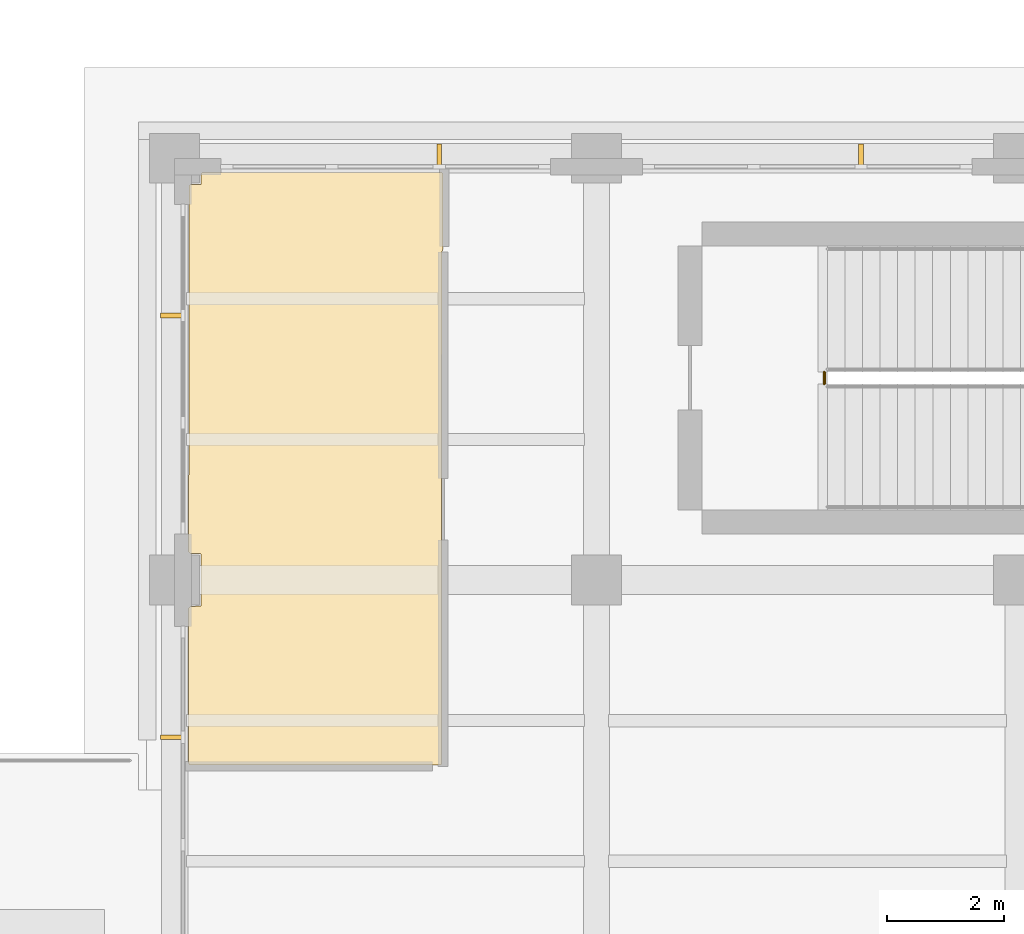
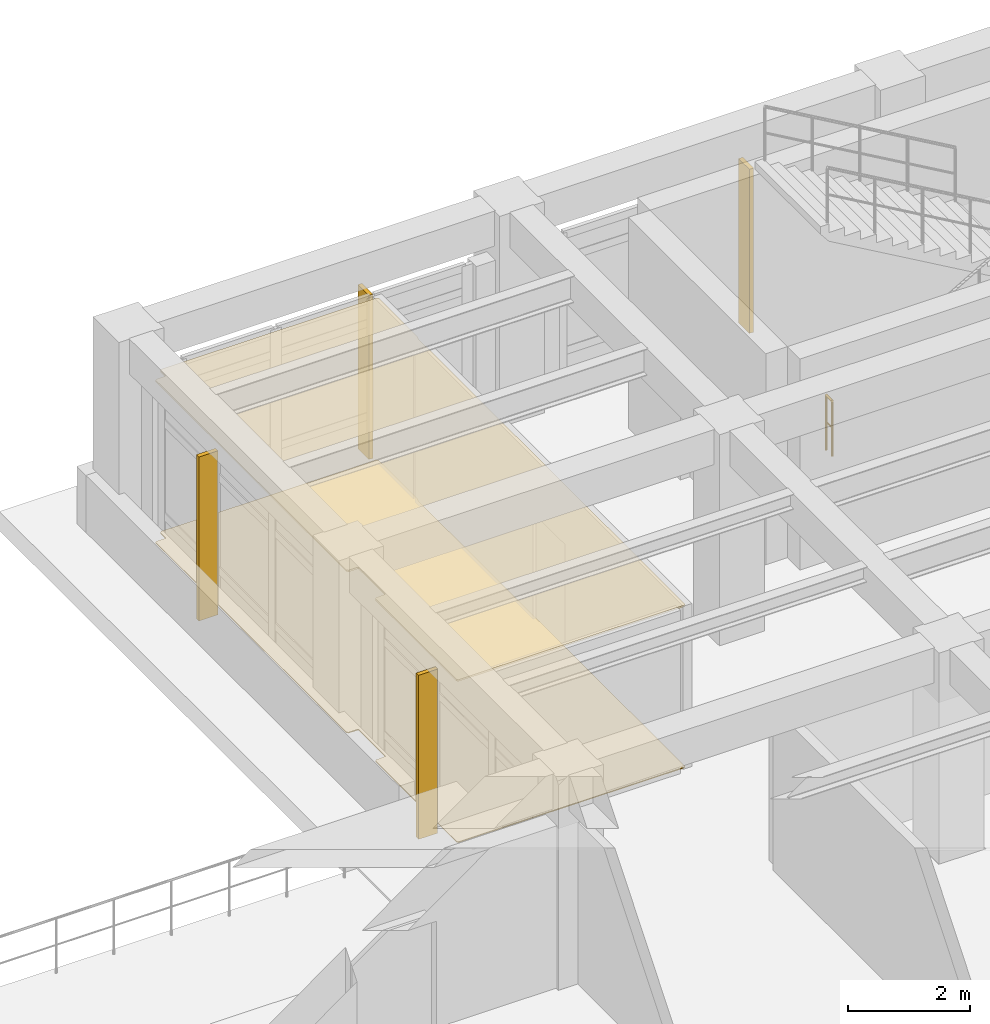
# One storey, part 93 of 98: 4 shading devices, 2 coverings, 1 railing.
"""IFC4 building model written with IfcOpenShell, lengths in metres."""

import ifcopenshell
import ifcopenshell.guid

model = None  # the IFC model being written
_history = None  # IfcOwnerHistory: only IFC2X3 demands one
_inside = {}  # id of a spatial element -> (the spatial element, [elements in it])
_under = {}  # id of a project, library or spatial element -> (it, [spatial elements below it])
_declared = {}  # id of a project -> (the project, [libraries it declares])
_typed = {}  # id of a type object -> (the type object, [elements of that type])
_made_of = {}  # id of a material, layer set ... -> (it, [elements and type objects made of it])


def new_model(schema):
    """Start an empty IFC model of exactly this schema.

    Asked for "IFC4X3", IfcOpenShell would pick the latest addendum, in which some entities
    have other attributes; the version numbers below select the first issue.
    IFC2X3 requires an IfcOwnerHistory on every rooted entity: one is made here for all.
    """
    global model, _history
    if schema == "IFC4X3":
        model = ifcopenshell.file(schema_version=(4, 3, 0, 0))
    else:
        model = ifcopenshell.file(schema=schema)
    _inside.clear()
    _under.clear()
    _declared.clear()
    _typed.clear()
    _made_of.clear()
    _history = None
    if model.schema == "IFC2X3":
        org = make("IfcOrganization", Name="unknown")
        user = make(
            "IfcPersonAndOrganization",
            ThePerson=make("IfcPerson", FamilyName="unknown"),
            TheOrganization=org,
        )
        app = make(
            "IfcApplication",
            ApplicationDeveloper=org,
            Version="unknown",
            ApplicationFullName="unknown",
            ApplicationIdentifier="unknown",
        )
        _history = make(
            "IfcOwnerHistory",
            OwningUser=user,
            OwningApplication=app,
            ChangeAction="ADDED",
            CreationDate=0,
        )
    return model


def make(cls, **values):
    """One entity of the class cls with the attributes given. An attribute that is None is left unset."""
    return model.create_entity(
        cls, **{name: value for name, value in values.items() if value is not None}
    )


def rooted(cls, **values):
    """An entity with a GlobalId (a new one), such as an element, a storey or a relation."""
    return make(cls, GlobalId=ifcopenshell.guid.new(), OwnerHistory=_history, **values)


def si_unit(unit_type, name, prefix=None):
    """IfcSIUnit, for example si_unit("LENGTHUNIT", "METRE", prefix="MILLI")."""
    return make("IfcSIUnit", UnitType=unit_type, Prefix=prefix, Name=name)


def assignment(units):
    """IfcUnitAssignment: the units of a project."""
    return None if units is None else make("IfcUnitAssignment", Units=units)


def point(xyz):
    """IfcCartesianPoint."""
    return None if xyz is None else make("IfcCartesianPoint", Coordinates=xyz)


def direction(xyz):
    """IfcDirection."""
    return None if xyz is None else make("IfcDirection", DirectionRatios=xyz)


def frame(location, z_axis=None, x_axis=None):
    """IfcAxis2Placement3D, a coordinate frame: its origin and axes. An axis left out is left unset."""
    return make(
        "IfcAxis2Placement3D",
        Location=point(location),
        Axis=direction(z_axis),
        RefDirection=direction(x_axis),
    )


def frame_2d(location, x_axis=None):
    """IfcAxis2Placement2D, a coordinate frame in the plane: its origin and x axis."""
    return make(
        "IfcAxis2Placement2D", Location=point(location), RefDirection=direction(x_axis)
    )


def origin():
    """The frame at (0, 0, 0) with its axes left unset."""
    return frame((0.0, 0.0, 0.0))


def origin_2d():
    """The frame at (0, 0) in the plane with its x axis left unset."""
    return frame_2d((0.0, 0.0))


def place(relative_to, where):
    """IfcLocalPlacement: puts the frame where relative to a parent placement (None: the world)."""
    return make(
        "IfcLocalPlacement", PlacementRelTo=relative_to, RelativePlacement=where
    )


def context(
    kind, dimensions, precision=None, world=None, true_north=None, identifier=None
):
    """IfcGeometricRepresentationContext, for example the 3D "Model" context."""
    return make(
        "IfcGeometricRepresentationContext",
        ContextIdentifier=identifier,
        ContextType=kind,
        CoordinateSpaceDimension=dimensions,
        Precision=precision,
        WorldCoordinateSystem=world,
        TrueNorth=true_north,
    )


def subcontext(parent, identifier, kind, view, scale=None):
    """IfcGeometricRepresentationSubContext, for example "Body" below "Model"."""
    return make(
        "IfcGeometricRepresentationSubContext",
        ContextIdentifier=identifier,
        ContextType=kind,
        ParentContext=parent,
        TargetScale=scale,
        TargetView=view,
    )


def project(units=None, contexts=None):
    """IfcProject with its units and contexts."""
    return rooted(
        "IfcProject",
        Name="project",
        RepresentationContexts=contexts,
        UnitsInContext=assignment(units),
    )


def spatial(cls, under=None, at=None, **own):
    """A site, building, storey or space (cls), placed at a placement, below another one or the project."""
    s = rooted(cls, ObjectPlacement=at, **own)
    if under is not None:
        _under.setdefault(under.id(), (under, []))[1].append(s)
    return s


def polyline(points):
    """IfcPolyline through the points."""
    return make("IfcPolyline", Points=[point(p) for p in points])


def profile(cls, at=None, kind="AREA", **sizes):
    """A parametric profile (cls). Its sizes go by their IFC names, for example OverallWidth=200.0."""
    return make(cls, ProfileType=kind, Position=at, **sizes)


def rectangle(**sizes):
    """IfcRectangleProfileDef."""
    return profile("IfcRectangleProfileDef", **sizes)


def circle(**sizes):
    """IfcCircleProfileDef."""
    return profile("IfcCircleProfileDef", **sizes)


def outline(outer, holes=None, kind="AREA"):
    """IfcArbitraryClosedProfileDef: a profile drawn as a closed curve; with holes, ...WithVoids."""
    if holes is None:
        return make("IfcArbitraryClosedProfileDef", ProfileType=kind, OuterCurve=outer)
    return make(
        "IfcArbitraryProfileDefWithVoids",
        ProfileType=kind,
        OuterCurve=outer,
        InnerCurves=holes,
    )


def extrude(swept, where, along, depth):
    """IfcExtrudedAreaSolid: the profile swept, set in the frame where, extruded along a direction by depth."""
    return make(
        "IfcExtrudedAreaSolid",
        SweptArea=swept,
        Position=where,
        ExtrudedDirection=direction(along),
        Depth=depth,
    )


def shape(context_of_items, identifier, shape_type, items):
    """IfcShapeRepresentation: the items that make up one representation, for example the "Body"."""
    return make(
        "IfcShapeRepresentation",
        ContextOfItems=context_of_items,
        RepresentationIdentifier=identifier,
        RepresentationType=shape_type,
        Items=items,
    )


def material(Name=None, Category=None):
    """IfcMaterial."""
    return make("IfcMaterial", Name=Name, Category=Category)


def layer(
    of_material, thickness, ventilated=None, Name=None, Category=None, Priority=None
):
    """IfcMaterialLayer: one layer of a wall or slab, of a material (None: an air gap)."""
    return make(
        "IfcMaterialLayer",
        Material=of_material,
        LayerThickness=thickness,
        IsVentilated=ventilated,
        Name=Name,
        Category=Category,
        Priority=Priority,
    )


def layer_set(layers, Name=None):
    """IfcMaterialLayerSet."""
    return make("IfcMaterialLayerSet", MaterialLayers=layers, LayerSetName=Name)


def material_profile(
    of_material, cross_section, Name=None, Category=None, Priority=None
):
    """IfcMaterialProfile: a cross section and its material."""
    return make(
        "IfcMaterialProfile",
        Name=Name,
        Material=of_material,
        Profile=cross_section,
        Priority=Priority,
        Category=Category,
    )


def profile_set(profiles, Name=None, composite=None):
    """IfcMaterialProfileSet."""
    return make(
        "IfcMaterialProfileSet",
        Name=Name,
        MaterialProfiles=profiles,
        CompositeProfile=composite,
    )


def made_of(thing, what):
    """Note that an element or type object is made of a material, layer set ...; save() writes the relation."""
    if what is not None:
        _made_of.setdefault(what.id(), (what, []))[1].append(thing)
    return thing


def type_object(cls, material=None, **own):
    """A type object (cls), such as IfcWallType, which elements share."""
    return made_of(rooted(cls, **own), material)


def element(
    cls,
    number,
    at=None,
    inside=None,
    cuts=None,
    type_object=None,
    material=None,
    context=None,
    identifier="Body",
    shape_type=None,
    held_by="IfcProductDefinitionShape",
    body=None,
    shapes=None,
    **own,
):
    """One element of the class cls, such as IfcWall. Its Tag is "e" and its number.

    at: its placement. inside: the storey or other place that contains it. cuts: it is an
    opening in that element (IfcRelVoidsElement). A single representation is given by context,
    identifier, shape_type and body (its items); several are given by shapes. held_by: the class
    of the entity that holds the representations. save() writes the other relations.
    """
    e = rooted(cls, Tag="e%d" % number, ObjectPlacement=at, **own)
    if body is not None:
        shapes = [shape(context, identifier, shape_type, body)]
    if shapes is not None:
        e.Representation = make(held_by, Representations=shapes)
    if inside is not None:
        _inside.setdefault(inside.id(), (inside, []))[1].append(e)
    if cuts is not None:
        rooted(
            "IfcRelVoidsElement", RelatingBuildingElement=cuts, RelatedOpeningElement=e
        )
    if type_object is not None:
        _typed.setdefault(type_object.id(), (type_object, []))[1].append(e)
    return made_of(e, material)


def aggregate(whole, parts):
    """IfcRelAggregates: a whole, such as a stair, and the parts it consists of."""
    return rooted("IfcRelAggregates", RelatingObject=whole, RelatedObjects=parts)


def save(model, path):
    """Write the relations noted so far, then the file.

    IfcRelAggregates (storeys below a building ...), IfcRelContainedInSpatialStructure (elements
    in a storey), IfcRelDefinesByType, IfcRelAssociatesMaterial and IfcRelDeclares: one each for
    every whole, place, type object, material and project.
    """
    for whole, parts in _under.values():
        aggregate(whole, parts)
    for where, things in _inside.values():
        rooted(
            "IfcRelContainedInSpatialStructure",
            RelatedElements=things,
            RelatingStructure=where,
        )
    for kind, things in _typed.values():
        rooted("IfcRelDefinesByType", RelatedObjects=things, RelatingType=kind)
    for what, things in _made_of.values():
        rooted("IfcRelAssociatesMaterial", RelatedObjects=things, RelatingMaterial=what)
    for by, libraries in _declared.values():
        rooted("IfcRelDeclares", RelatingContext=by, RelatedDefinitions=libraries)
    model.write(path)


model = new_model("IFC4")

# Units and contexts
model_context = context("Model", 3, precision=1e-05, world=origin(), true_north=direction((0.0, 1.0)))
body_context = subcontext(model_context, "Body", "Model", "MODEL_VIEW")
ifc_project = project(units=[si_unit("LENGTHUNIT", "METRE"), si_unit("AREAUNIT", "SQUARE_METRE"), si_unit("VOLUMEUNIT", "CUBIC_METRE"), si_unit("PLANEANGLEUNIT", "RADIAN"), si_unit("MASSUNIT", "GRAM", prefix="KILO")], contexts=[model_context])

# Site, building, storey
site_placement = place(None, origin())
site = spatial("IfcSite", under=ifc_project, at=site_placement, CompositionType="ELEMENT")
building_placement = place(site_placement, origin())
building = spatial("IfcBuilding", under=site, at=building_placement, Name="Solenvale Faculty of Natural Sciences", CompositionType="ELEMENT")
storey_placement = place(building_placement, frame((0.0, 0.0, 9.0)))
storey = spatial("IfcBuildingStorey", under=building, at=storey_placement, Name="L02", CompositionType="ELEMENT", Elevation=9.0)

# Coverings
ifc_material_1 = material(Name="Oak slatted acoustic timber ceiling", Category="wood")
ifc_layer_1 = layer(ifc_material_1, 0.034912109375)
ifc_layer_set_1 = layer_set([ifc_layer_1], Name="Oak slatted acoustic timber ceiling")
covering_type_1 = type_object("IfcCoveringType", Name="COV-CEIL-WD35", PredefinedType="CEILING", material=ifc_layer_set_1)
covering_1_placement = place(storey_placement, frame((0.0, 0.0, 3.22509765625)))
element("IfcCovering", 1, at=covering_1_placement, inside=storey, type_object=covering_type_1, Name="L02 Learning Commons Acoustic Ceiling", PredefinedType="CEILING", context=body_context, shape_type="SweptSolid", body=[
    extrude(outline(polyline([(119.780029296875, 56.049072265625), (119.760009765625, 56.0), (119.756103515625, 47.256103515625), (119.72998046875, 47.239990234375), (115.4560546875, 47.243896484375), (115.43994140625, 47.27001953125), (115.43994140625, 49.923095703125), (115.464111328125, 49.948974609375), (115.64990234375, 49.9580078125), (115.64990234375, 50.839111328125), (115.64111328125, 50.85009765625), (115.464111328125, 50.85107421875), (115.43994140625, 50.8798828125), (115.444091796875, 57.134033203125), (115.467041015625, 57.14990234375), (115.64697265625, 57.153076171875), (115.64990234375, 57.3330078125), (115.677001953125, 57.360107421875), (119.756103515625, 57.35888671875), (119.780029296875, 57.330078125), (119.780029296875, 56.049072265625)])), origin(), (0.0, 0.0, 1.0), 0.034912109375),
])
ifc_material_2 = material(Name="Polished slate terrazzo flooring", Category="masonry")
ifc_layer_2 = layer(ifc_material_2, 0.01806640625)
ifc_layer_set_2 = layer_set([ifc_layer_2], Name="Polished slate terrazzo flooring")
covering_type_2 = type_object("IfcCoveringType", Name="COV-FLR-TRZ18", PredefinedType="FLOORING", material=ifc_layer_set_2)
covering_2_placement = place(storey_placement, origin())
element("IfcCovering", 2, at=covering_2_placement, inside=storey, type_object=covering_type_2, Name="L02 Learning Commons Floor Finish", PredefinedType="FLOORING", context=body_context, shape_type="SweptSolid", body=[
    extrude(outline(polyline([(119.780029296875, 56.049072265625), (119.760009765625, 56.0), (119.756103515625, 47.256103515625), (119.72998046875, 47.239990234375), (115.4560546875, 47.243896484375), (115.43994140625, 47.27001953125), (115.43994140625, 49.923095703125), (115.464111328125, 49.948974609375), (115.64990234375, 49.9580078125), (115.64990234375, 50.839111328125), (115.64111328125, 50.85009765625), (115.464111328125, 50.85107421875), (115.43994140625, 50.8798828125), (115.444091796875, 57.134033203125), (115.467041015625, 57.14990234375), (115.64697265625, 57.153076171875), (115.64990234375, 57.3330078125), (115.677001953125, 57.360107421875), (119.756103515625, 57.35888671875), (119.780029296875, 57.330078125), (119.780029296875, 56.049072265625)])), origin(), (0.0, 0.0, 1.0), 0.01806640625),
])

# Railing
ifc_material_3 = material(Name="Stainless steel Grade 304", Category="steel")
railing_type = type_object("IfcRailingType", Name="RL-GRD-1100", PredefinedType="GUARDRAIL", material=ifc_material_3)
railing_placement = place(storey_placement, frame((126.2900390625, 53.75, 0.0)))
element("IfcRailing", 3, at=railing_placement, inside=storey, type_object=railing_type, Name="L02 ST-08 stair guard 4", PredefinedType="GUARDRAIL", context=body_context, shape_type="SweptSolid", body=[
    extrude(circle(Radius=0.02392578125, at=origin_2d()), frame((0.0, 0.0, 1.09619140625), z_axis=(0.0, 1.0, 0.0), x_axis=(-1.0, 0.0, 0.0)), (0.0, 0.0, 1.0), 0.199951171875),
    extrude(circle(Radius=0.01611328125, at=origin_2d()), frame((0.0, 0.0, 0.56005859375), z_axis=(0.0, 1.0, 0.0), x_axis=(-1.0, 0.0, 0.0)), (0.0, 0.0, 1.0), 0.199951171875),
    extrude(circle(Radius=0.02099609375, at=origin_2d()), origin(), (0.0, 0.0, 1.0), 1.072021484375),
    extrude(circle(Radius=0.02099609375, at=origin_2d()), frame((0.0, 0.199951171875, 0.0)), (0.0, 0.0, 1.0), 1.072021484375),
])

# Shading devices
ifc_material_4 = material(Name="Anodised bronze aluminium", Category="aluminium")
ifc_material_profile = material_profile(ifc_material_4, rectangle(XDim=0.080078125, YDim=0.360107421875, at=origin_2d()), Name="ALU-FIN-80x360")
ifc_profile_set = profile_set([ifc_material_profile], Name="Anodised bronze aluminium")
shading_device_type = type_object("IfcShadingDeviceType", Name="SHD-FIN-360", PredefinedType="JALOUSIE", material=ifc_profile_set)
for number, where, z_axis, x_axis, name in (
    (4, (126.916748046875, 57.659912109375, -0.02001953125), (0.0, 0.0, 1.0), (1.0, 0.0, 0.0), "L02 Vertical Brise-Soleil Fin 4.6"),
    (5, (119.716552734375, 57.659912109375, -0.02001953125), (0.0, 0.0, 1.0), (1.0, 0.0, 0.0), "L02 Vertical Brise-Soleil Fin 4.7"),
    (6, (115.139892578125, 54.916748046875, -0.02001953125), (0.0, 0.0, 1.0), (0.0, 1.0, 0.0), "L02 Vertical Brise-Soleil Fin 5.1"),
    (7, (115.139892578125, 47.716552734375, -0.02001953125), (0.0, 0.0, 1.0), (0.0, 1.0, 0.0), "L02 Vertical Brise-Soleil Fin 5.2"),
):
    element("IfcShadingDevice", number, at=place(storey_placement, frame(where, z_axis=z_axis, x_axis=x_axis)), inside=storey, type_object=shading_device_type, Name=name, PredefinedType="JALOUSIE", context=body_context, shape_type="SweptSolid", body=[
        extrude(rectangle(XDim=0.080078125, YDim=0.360107421875, at=origin_2d()), origin(), (0.0, 0.0, 1.0), 3.280029296875),
    ])

save(model, "model.ifc")
